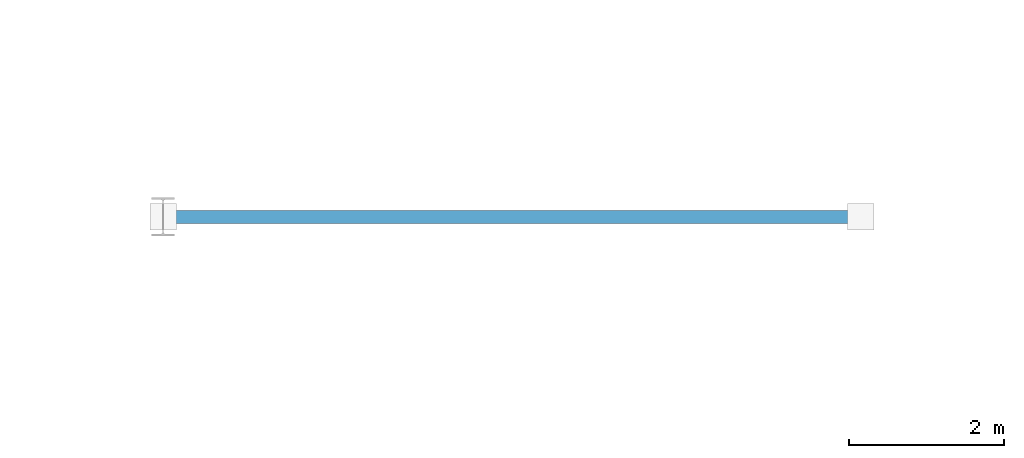
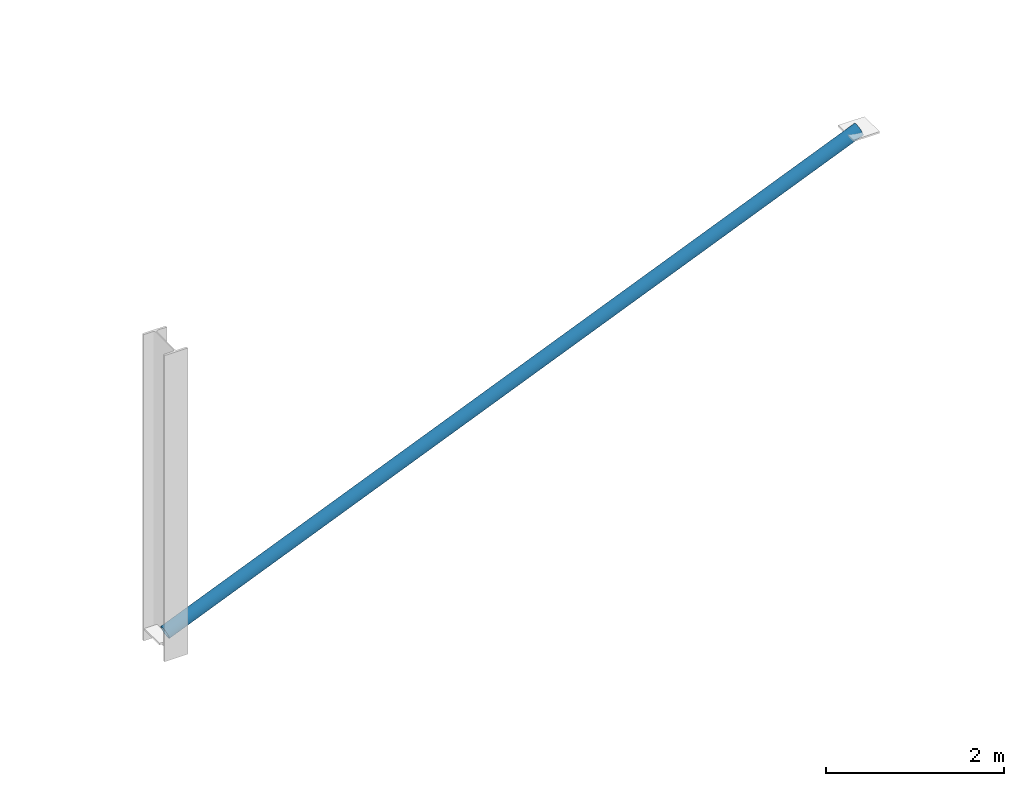
# One storey, part 66 of 140: 1 member.
"""IFC4 building model written with IfcOpenShell, lengths in metres."""

import ifcopenshell
import ifcopenshell.guid

model = None  # the IFC model being written
_history = None  # IfcOwnerHistory: only IFC2X3 demands one
_inside = {}  # id of a spatial element -> (the spatial element, [elements in it])
_under = {}  # id of a project, library or spatial element -> (it, [spatial elements below it])
_declared = {}  # id of a project -> (the project, [libraries it declares])
_typed = {}  # id of a type object -> (the type object, [elements of that type])
_made_of = {}  # id of a material, layer set ... -> (it, [elements and type objects made of it])


def new_model(schema):
    """Start an empty IFC model of exactly this schema.

    Asked for "IFC4X3", IfcOpenShell would pick the latest addendum, in which some entities
    have other attributes; the version numbers below select the first issue.
    IFC2X3 requires an IfcOwnerHistory on every rooted entity: one is made here for all.
    """
    global model, _history
    if schema == "IFC4X3":
        model = ifcopenshell.file(schema_version=(4, 3, 0, 0))
    else:
        model = ifcopenshell.file(schema=schema)
    _inside.clear()
    _under.clear()
    _declared.clear()
    _typed.clear()
    _made_of.clear()
    _history = None
    if model.schema == "IFC2X3":
        org = make("IfcOrganization", Name="unknown")
        user = make(
            "IfcPersonAndOrganization",
            ThePerson=make("IfcPerson", FamilyName="unknown"),
            TheOrganization=org,
        )
        app = make(
            "IfcApplication",
            ApplicationDeveloper=org,
            Version="unknown",
            ApplicationFullName="unknown",
            ApplicationIdentifier="unknown",
        )
        _history = make(
            "IfcOwnerHistory",
            OwningUser=user,
            OwningApplication=app,
            ChangeAction="ADDED",
            CreationDate=0,
        )
    return model


def make(cls, **values):
    """One entity of the class cls with the attributes given. An attribute that is None is left unset."""
    return model.create_entity(
        cls, **{name: value for name, value in values.items() if value is not None}
    )


def rooted(cls, **values):
    """An entity with a GlobalId (a new one), such as an element, a storey or a relation."""
    return make(cls, GlobalId=ifcopenshell.guid.new(), OwnerHistory=_history, **values)


def si_unit(unit_type, name, prefix=None):
    """IfcSIUnit, for example si_unit("LENGTHUNIT", "METRE", prefix="MILLI")."""
    return make("IfcSIUnit", UnitType=unit_type, Prefix=prefix, Name=name)


def assignment(units):
    """IfcUnitAssignment: the units of a project."""
    return None if units is None else make("IfcUnitAssignment", Units=units)


def point(xyz):
    """IfcCartesianPoint."""
    return None if xyz is None else make("IfcCartesianPoint", Coordinates=xyz)


def direction(xyz):
    """IfcDirection."""
    return None if xyz is None else make("IfcDirection", DirectionRatios=xyz)


def frame(location, z_axis=None, x_axis=None):
    """IfcAxis2Placement3D, a coordinate frame: its origin and axes. An axis left out is left unset."""
    return make(
        "IfcAxis2Placement3D",
        Location=point(location),
        Axis=direction(z_axis),
        RefDirection=direction(x_axis),
    )


def frame_2d(location, x_axis=None):
    """IfcAxis2Placement2D, a coordinate frame in the plane: its origin and x axis."""
    return make(
        "IfcAxis2Placement2D", Location=point(location), RefDirection=direction(x_axis)
    )


def origin():
    """The frame at (0, 0, 0) with its axes left unset."""
    return frame((0.0, 0.0, 0.0))


def origin_2d():
    """The frame at (0, 0) in the plane with its x axis left unset."""
    return frame_2d((0.0, 0.0))


def place(relative_to, where):
    """IfcLocalPlacement: puts the frame where relative to a parent placement (None: the world)."""
    return make(
        "IfcLocalPlacement", PlacementRelTo=relative_to, RelativePlacement=where
    )


def context(
    kind, dimensions, precision=None, world=None, true_north=None, identifier=None
):
    """IfcGeometricRepresentationContext, for example the 3D "Model" context."""
    return make(
        "IfcGeometricRepresentationContext",
        ContextIdentifier=identifier,
        ContextType=kind,
        CoordinateSpaceDimension=dimensions,
        Precision=precision,
        WorldCoordinateSystem=world,
        TrueNorth=true_north,
    )


def subcontext(parent, identifier, kind, view, scale=None):
    """IfcGeometricRepresentationSubContext, for example "Body" below "Model"."""
    return make(
        "IfcGeometricRepresentationSubContext",
        ContextIdentifier=identifier,
        ContextType=kind,
        ParentContext=parent,
        TargetScale=scale,
        TargetView=view,
    )


def project(units=None, contexts=None):
    """IfcProject with its units and contexts."""
    return rooted(
        "IfcProject",
        Name="project",
        RepresentationContexts=contexts,
        UnitsInContext=assignment(units),
    )


def spatial(cls, under=None, at=None, **own):
    """A site, building, storey or space (cls), placed at a placement, below another one or the project."""
    s = rooted(cls, ObjectPlacement=at, **own)
    if under is not None:
        _under.setdefault(under.id(), (under, []))[1].append(s)
    return s


def profile(cls, at=None, kind="AREA", **sizes):
    """A parametric profile (cls). Its sizes go by their IFC names, for example OverallWidth=200.0."""
    return make(cls, ProfileType=kind, Position=at, **sizes)


def hollow_circle(**sizes):
    """IfcCircleHollowProfileDef."""
    return profile("IfcCircleHollowProfileDef", **sizes)


def extrude(swept, where, along, depth):
    """IfcExtrudedAreaSolid: the profile swept, set in the frame where, extruded along a direction by depth."""
    return make(
        "IfcExtrudedAreaSolid",
        SweptArea=swept,
        Position=where,
        ExtrudedDirection=direction(along),
        Depth=depth,
    )


def shape(context_of_items, identifier, shape_type, items):
    """IfcShapeRepresentation: the items that make up one representation, for example the "Body"."""
    return make(
        "IfcShapeRepresentation",
        ContextOfItems=context_of_items,
        RepresentationIdentifier=identifier,
        RepresentationType=shape_type,
        Items=items,
    )


def material(Name=None, Category=None):
    """IfcMaterial."""
    return make("IfcMaterial", Name=Name, Category=Category)


def material_profile(
    of_material, cross_section, Name=None, Category=None, Priority=None
):
    """IfcMaterialProfile: a cross section and its material."""
    return make(
        "IfcMaterialProfile",
        Name=Name,
        Material=of_material,
        Profile=cross_section,
        Priority=Priority,
        Category=Category,
    )


def profile_set(profiles, Name=None, composite=None):
    """IfcMaterialProfileSet."""
    return make(
        "IfcMaterialProfileSet",
        Name=Name,
        MaterialProfiles=profiles,
        CompositeProfile=composite,
    )


def made_of(thing, what):
    """Note that an element or type object is made of a material, layer set ...; save() writes the relation."""
    if what is not None:
        _made_of.setdefault(what.id(), (what, []))[1].append(thing)
    return thing


def type_object(cls, material=None, **own):
    """A type object (cls), such as IfcWallType, which elements share."""
    return made_of(rooted(cls, **own), material)


def element(
    cls,
    number,
    at=None,
    inside=None,
    cuts=None,
    type_object=None,
    material=None,
    context=None,
    identifier="Body",
    shape_type=None,
    held_by="IfcProductDefinitionShape",
    body=None,
    shapes=None,
    **own,
):
    """One element of the class cls, such as IfcWall. Its Tag is "e" and its number.

    at: its placement. inside: the storey or other place that contains it. cuts: it is an
    opening in that element (IfcRelVoidsElement). A single representation is given by context,
    identifier, shape_type and body (its items); several are given by shapes. held_by: the class
    of the entity that holds the representations. save() writes the other relations.
    """
    e = rooted(cls, Tag="e%d" % number, ObjectPlacement=at, **own)
    if body is not None:
        shapes = [shape(context, identifier, shape_type, body)]
    if shapes is not None:
        e.Representation = make(held_by, Representations=shapes)
    if inside is not None:
        _inside.setdefault(inside.id(), (inside, []))[1].append(e)
    if cuts is not None:
        rooted(
            "IfcRelVoidsElement", RelatingBuildingElement=cuts, RelatedOpeningElement=e
        )
    if type_object is not None:
        _typed.setdefault(type_object.id(), (type_object, []))[1].append(e)
    return made_of(e, material)


def aggregate(whole, parts):
    """IfcRelAggregates: a whole, such as a stair, and the parts it consists of."""
    return rooted("IfcRelAggregates", RelatingObject=whole, RelatedObjects=parts)


def save(model, path):
    """Write the relations noted so far, then the file.

    IfcRelAggregates (storeys below a building ...), IfcRelContainedInSpatialStructure (elements
    in a storey), IfcRelDefinesByType, IfcRelAssociatesMaterial and IfcRelDeclares: one each for
    every whole, place, type object, material and project.
    """
    for whole, parts in _under.values():
        aggregate(whole, parts)
    for where, things in _inside.values():
        rooted(
            "IfcRelContainedInSpatialStructure",
            RelatedElements=things,
            RelatingStructure=where,
        )
    for kind, things in _typed.values():
        rooted("IfcRelDefinesByType", RelatedObjects=things, RelatingType=kind)
    for what, things in _made_of.values():
        rooted("IfcRelAssociatesMaterial", RelatedObjects=things, RelatingMaterial=what)
    for by, libraries in _declared.values():
        rooted("IfcRelDeclares", RelatingContext=by, RelatedDefinitions=libraries)
    model.write(path)


model = new_model("IFC4")

# Units and contexts
model_context = context("Model", 3, precision=1e-05, world=origin(), true_north=direction((0.0, 1.0)))
body_context = subcontext(model_context, "Body", "Model", "MODEL_VIEW")
ifc_project = project(units=[si_unit("LENGTHUNIT", "METRE"), si_unit("AREAUNIT", "SQUARE_METRE"), si_unit("VOLUMEUNIT", "CUBIC_METRE"), si_unit("PLANEANGLEUNIT", "RADIAN"), si_unit("MASSUNIT", "GRAM", prefix="KILO")], contexts=[model_context])

# Site, building, storey
site_placement = place(None, origin())
site = spatial("IfcSite", under=ifc_project, at=site_placement, CompositionType="ELEMENT")
building_placement = place(site_placement, origin())
building = spatial("IfcBuilding", under=site, at=building_placement, Name="Deido Ridge Mobility Hub", CompositionType="ELEMENT")
storey_placement = place(building_placement, origin())
storey = spatial("IfcBuildingStorey", under=building, at=storey_placement, Name="L00", CompositionType="ELEMENT", Elevation=0.0)

# Member
ifc_material = material(Name="Steel S355J2H EN 10210-1", Category="steel")
ifc_material_profile = material_profile(ifc_material, hollow_circle(Radius=0.084228515625, WallThickness=0.008056640625, at=origin_2d()), Name="CHS 168.3x8")
ifc_profile_set = profile_set([ifc_material_profile], Name="Steel S355J2H EN 10210-1")
member_type = type_object("IfcMemberType", Name="MEM-STR-CHS168", PredefinedType="STRUT", material=ifc_profile_set)
member_placement = place(storey_placement, frame((117.0, 54.0, 0.199951171875), z_axis=(0.923076923077, 0.0, 0.384615384615), x_axis=(0.0, 1.0, 0.0)))
element("IfcMember", 1, at=member_placement, inside=storey, type_object=member_type, Name="Deconstructivist facade diagrid strut SR1", PredefinedType="STRUT", context=body_context, shape_type="SweptSolid", body=[
    extrude(hollow_circle(Radius=0.084228515625, WallThickness=0.008056640625, at=origin_2d()), origin(), (0.0, 0.0, 1.0), 9.75),
])

save(model, "model.ifc")
